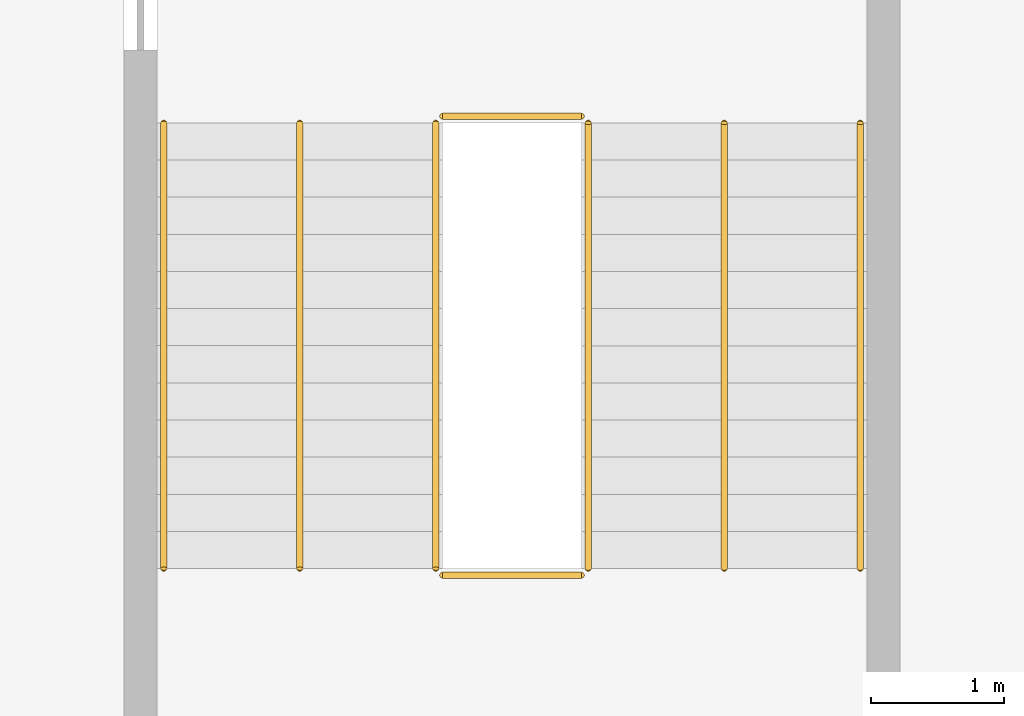
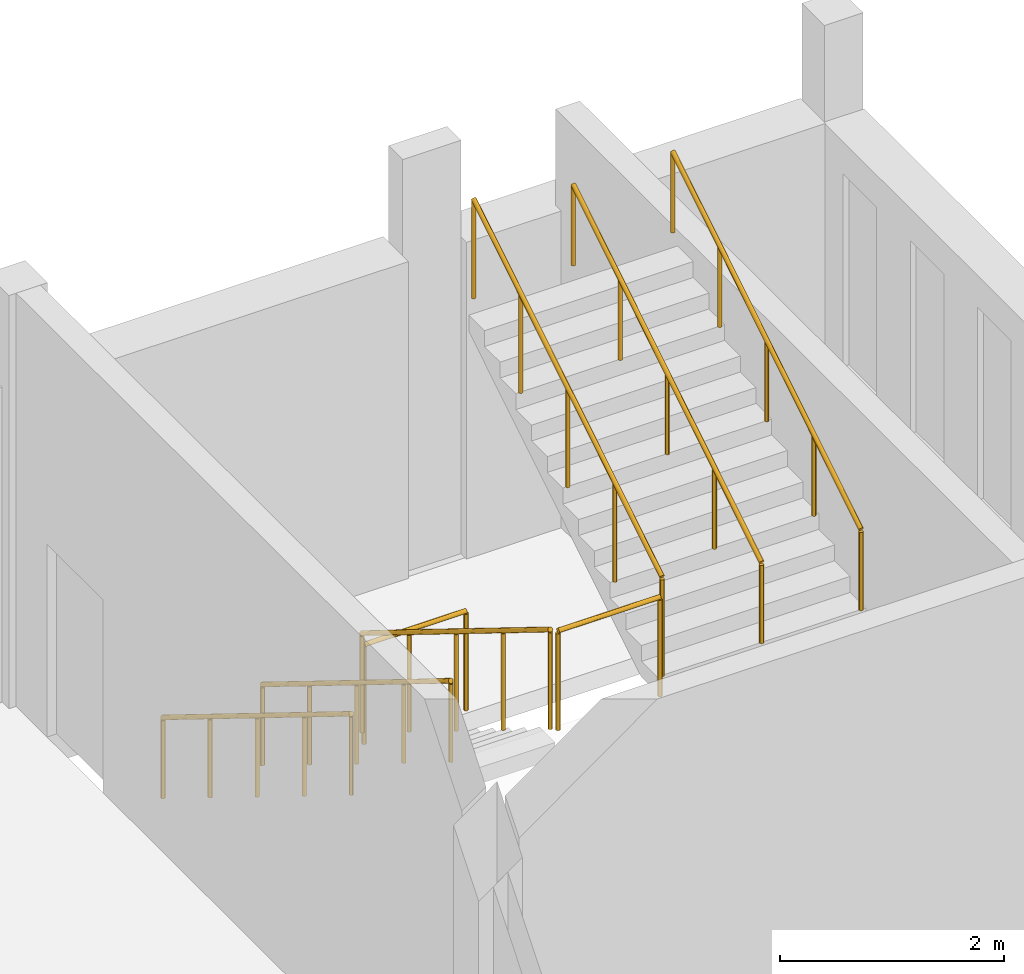
# One storey, part 116 of 116: 8 railings.
"""IFC4 building model written with IfcOpenShell, lengths in metres."""

from ifc_helpers import new_model, si_unit, direction, frame, origin, origin_2d, place, context, subcontext, project, spatial, circle, extrude, material, type_object, element, save


model = new_model("IFC4")

# Units and contexts
model_context = context("Model", 3, precision=1e-05, world=origin(), true_north=direction((0.0, 1.0)))
body_context = subcontext(model_context, "Body", "Model", "MODEL_VIEW")
ifc_project = project(units=[si_unit("LENGTHUNIT", "METRE"), si_unit("AREAUNIT", "SQUARE_METRE"), si_unit("VOLUMEUNIT", "CUBIC_METRE"), si_unit("PLANEANGLEUNIT", "RADIAN"), si_unit("MASSUNIT", "GRAM", prefix="KILO")], contexts=[model_context])

# Site, building, storey
site_placement = place(None, origin())
site = spatial("IfcSite", under=ifc_project, at=site_placement, CompositionType="ELEMENT")
building_placement = place(site_placement, origin())
building = spatial("IfcBuilding", under=site, at=building_placement, Name="Fescue Hill Polytechnic", CompositionType="ELEMENT")
storey_placement = place(building_placement, frame((0.0, 0.0, 13.5)))
storey = spatial("IfcBuildingStorey", under=building, at=storey_placement, Name="L03", CompositionType="ELEMENT", Elevation=13.5)

# Railings
ifc_material = material(Name="Steel 350W (350 MPa)", Category="steel")
railing_type_1 = type_object("IfcRailingType", Name="Stair guard steel 1100", PredefinedType="GUARDRAIL", material=ifc_material)
railing_1_placement = place(storey_placement, frame((111.425048828125, 132.10009765625, 0.173095703125)))
element("IfcRailing", 1, at=railing_1_placement, inside=storey, type_object=railing_type_1, Name="L03 ST-V4b-2 stair guard 1", PredefinedType="GUARDRAIL", context=body_context, shape_type="SweptSolid", body=[
    extrude(circle(Radius=0.02392578125, at=origin_2d()), frame((0.0, 0.0, 1.076171875), z_axis=(0.0, -0.850623216509, 0.525775754039), x_axis=(1.0, 0.0, 0.0)), (0.0, 0.0, 1.0), 3.9501953125),
    extrude(circle(Radius=0.02099609375, at=origin_2d()), origin(), (0.0, 0.0, 1.0), 1.052001953125),
    extrude(circle(Radius=0.02099609375, at=origin_2d()), frame((0.0, -0.840087890625, 0.519287109375)), (0.0, 0.0, 1.0), 1.052001953125),
    extrude(circle(Radius=0.02099609375, at=origin_2d()), frame((0.0, -1.68017578125, 1.03857421875)), (0.0, 0.0, 1.0), 1.052001953125),
    extrude(circle(Radius=0.02099609375, at=origin_2d()), frame((0.0, -2.52001953125, 1.5576171875)), (0.0, 0.0, 1.0), 1.052001953125),
    extrude(circle(Radius=0.02099609375, at=origin_2d()), frame((0.0, -3.360107421875, 2.076904296875)), (0.0, 0.0, 1.0), 1.052001953125),
])
railing_2_placement = place(storey_placement, frame((111.47509765625, 128.68994140625, 2.25)))
element("IfcRailing", 2, at=railing_2_placement, inside=storey, type_object=railing_type_1, Name="L03 ST-V4b-2 stair guard 2", PredefinedType="GUARDRAIL", context=body_context, shape_type="SweptSolid", body=[
    extrude(circle(Radius=0.02392578125, at=origin_2d()), frame((0.0, 0.0, 1.076171875), z_axis=(1.0, 0.0, 0.0), x_axis=(0.0, 1.0, 0.0)), (0.0, 0.0, 1.0), 1.0498046875),
    extrude(circle(Radius=0.02099609375, at=origin_2d()), origin(), (0.0, 0.0, 1.0), 1.052001953125),
    extrude(circle(Radius=0.02099609375, at=origin_2d()), frame((1.0498046875, 0.0, 0.0)), (0.0, 0.0, 1.0), 1.052001953125),
])
railing_3_placement = place(storey_placement, frame((112.574951171875, 128.739990234375, 2.423095703125)))
element("IfcRailing", 3, at=railing_3_placement, inside=storey, type_object=railing_type_1, Name="L03 ST-V4b-2 stair guard 3", PredefinedType="GUARDRAIL", context=body_context, shape_type="SweptSolid", body=[
    extrude(circle(Radius=0.02392578125, at=origin_2d()), frame((0.0, 0.0, 1.076171875), z_axis=(0.0, 0.850623216509, 0.525775754039), x_axis=(-1.0, 0.0, 0.0)), (0.0, 0.0, 1.0), 3.9501953125),
    extrude(circle(Radius=0.02099609375, at=origin_2d()), origin(), (0.0, 0.0, 1.0), 1.052001953125),
    extrude(circle(Radius=0.02099609375, at=origin_2d()), frame((0.0, 0.840087890625, 0.519287109375)), (0.0, 0.0, 1.0), 1.052001953125),
    extrude(circle(Radius=0.02099609375, at=origin_2d()), frame((0.0, 1.68017578125, 1.03857421875)), (0.0, 0.0, 1.0), 1.052001953125),
    extrude(circle(Radius=0.02099609375, at=origin_2d()), frame((0.0, 2.52001953125, 1.5576171875)), (0.0, 0.0, 1.0), 1.052001953125),
    extrude(circle(Radius=0.02099609375, at=origin_2d()), frame((0.0, 3.360107421875, 2.076904296875)), (0.0, 0.0, 1.0), 1.052001953125),
])
railing_4_placement = place(storey_placement, frame((111.47509765625, 132.14990234375, 0.0)))
element("IfcRailing", 4, at=railing_4_placement, inside=storey, type_object=railing_type_1, Name="L03 ST-V4b-2 stair guard 4", PredefinedType="GUARDRAIL", context=body_context, shape_type="SweptSolid", body=[
    extrude(circle(Radius=0.02392578125, at=origin_2d()), frame((0.0, 0.0, 1.076171875), z_axis=(1.0, 0.0, 0.0), x_axis=(0.0, 1.0, 0.0)), (0.0, 0.0, 1.0), 1.0498046875),
    extrude(circle(Radius=0.02099609375, at=origin_2d()), origin(), (0.0, 0.0, 1.0), 1.052001953125),
    extrude(circle(Radius=0.02099609375, at=origin_2d()), frame((1.0498046875, 0.0, 0.0)), (0.0, 0.0, 1.0), 1.052001953125),
])
railing_type_2 = type_object("IfcRailingType", Name="Stair handrail steel 900", PredefinedType="HANDRAIL", material=ifc_material)
railing_5_placement = place(storey_placement, frame((109.375, 132.10009765625, 0.173095703125)))
element("IfcRailing", 5, at=railing_5_placement, inside=storey, type_object=railing_type_2, Name="L03 ST-V4b-2 stair handrail 1", PredefinedType="HANDRAIL", context=body_context, shape_type="SweptSolid", body=[
    extrude(circle(Radius=0.02392578125, at=origin_2d()), frame((0.0, 0.0, 0.8759765625), z_axis=(0.0, -0.850623216509, 0.525775754039), x_axis=(1.0, 0.0, 0.0)), (0.0, 0.0, 1.0), 3.9501953125),
    extrude(circle(Radius=0.02099609375, at=origin_2d()), origin(), (0.0, 0.0, 1.0), 0.851806640625),
    extrude(circle(Radius=0.02099609375, at=origin_2d()), frame((0.0, -0.840087890625, 0.519287109375)), (0.0, 0.0, 1.0), 0.851806640625),
    extrude(circle(Radius=0.02099609375, at=origin_2d()), frame((0.0, -1.68017578125, 1.03857421875)), (0.0, 0.0, 1.0), 0.851806640625),
    extrude(circle(Radius=0.02099609375, at=origin_2d()), frame((0.0, -2.52001953125, 1.5576171875)), (0.0, 0.0, 1.0), 0.851806640625),
    extrude(circle(Radius=0.02099609375, at=origin_2d()), frame((0.0, -3.360107421875, 2.076904296875)), (0.0, 0.0, 1.0), 0.851806640625),
])
railing_6_placement = place(storey_placement, frame((114.625, 128.739990234375, 2.423095703125)))
element("IfcRailing", 6, at=railing_6_placement, inside=storey, type_object=railing_type_2, Name="L03 ST-V4b-2 stair handrail 2", PredefinedType="HANDRAIL", context=body_context, shape_type="SweptSolid", body=[
    extrude(circle(Radius=0.02392578125, at=origin_2d()), frame((0.0, 0.0, 0.8759765625), z_axis=(0.0, 0.850623216509, 0.525775754039), x_axis=(-1.0, 0.0, 0.0)), (0.0, 0.0, 1.0), 3.9501953125),
    extrude(circle(Radius=0.02099609375, at=origin_2d()), origin(), (0.0, 0.0, 1.0), 0.851806640625),
    extrude(circle(Radius=0.02099609375, at=origin_2d()), frame((0.0, 0.840087890625, 0.519287109375)), (0.0, 0.0, 1.0), 0.851806640625),
    extrude(circle(Radius=0.02099609375, at=origin_2d()), frame((0.0, 1.68017578125, 1.03857421875)), (0.0, 0.0, 1.0), 0.851806640625),
    extrude(circle(Radius=0.02099609375, at=origin_2d()), frame((0.0, 2.52001953125, 1.5576171875)), (0.0, 0.0, 1.0), 0.851806640625),
    extrude(circle(Radius=0.02099609375, at=origin_2d()), frame((0.0, 3.360107421875, 2.076904296875)), (0.0, 0.0, 1.0), 0.851806640625),
])
railing_7_placement = place(storey_placement, frame((110.39990234375, 132.10009765625, 0.173095703125)))
element("IfcRailing", 7, at=railing_7_placement, inside=storey, type_object=railing_type_2, Name="L03 ST-V4b-2 stair handrail 3", PredefinedType="HANDRAIL", context=body_context, shape_type="SweptSolid", body=[
    extrude(circle(Radius=0.02392578125, at=origin_2d()), frame((0.0, 0.0, 0.8759765625), z_axis=(0.0, -0.850623216509, 0.525775754039), x_axis=(1.0, 0.0, 0.0)), (0.0, 0.0, 1.0), 3.9501953125),
    extrude(circle(Radius=0.02099609375, at=origin_2d()), origin(), (0.0, 0.0, 1.0), 0.851806640625),
    extrude(circle(Radius=0.02099609375, at=origin_2d()), frame((0.0, -0.840087890625, 0.519287109375)), (0.0, 0.0, 1.0), 0.851806640625),
    extrude(circle(Radius=0.02099609375, at=origin_2d()), frame((0.0, -1.68017578125, 1.03857421875)), (0.0, 0.0, 1.0), 0.851806640625),
    extrude(circle(Radius=0.02099609375, at=origin_2d()), frame((0.0, -2.52001953125, 1.5576171875)), (0.0, 0.0, 1.0), 0.851806640625),
    extrude(circle(Radius=0.02099609375, at=origin_2d()), frame((0.0, -3.360107421875, 2.076904296875)), (0.0, 0.0, 1.0), 0.851806640625),
])
railing_8_placement = place(storey_placement, frame((113.60009765625, 128.739990234375, 2.423095703125)))
element("IfcRailing", 8, at=railing_8_placement, inside=storey, type_object=railing_type_2, Name="L03 ST-V4b-2 stair handrail 4", PredefinedType="HANDRAIL", context=body_context, shape_type="SweptSolid", body=[
    extrude(circle(Radius=0.02392578125, at=origin_2d()), frame((0.0, 0.0, 0.8759765625), z_axis=(0.0, 0.850623216509, 0.525775754039), x_axis=(-1.0, 0.0, 0.0)), (0.0, 0.0, 1.0), 3.9501953125),
    extrude(circle(Radius=0.02099609375, at=origin_2d()), origin(), (0.0, 0.0, 1.0), 0.851806640625),
    extrude(circle(Radius=0.02099609375, at=origin_2d()), frame((0.0, 0.840087890625, 0.519287109375)), (0.0, 0.0, 1.0), 0.851806640625),
    extrude(circle(Radius=0.02099609375, at=origin_2d()), frame((0.0, 1.68017578125, 1.03857421875)), (0.0, 0.0, 1.0), 0.851806640625),
    extrude(circle(Radius=0.02099609375, at=origin_2d()), frame((0.0, 2.52001953125, 1.5576171875)), (0.0, 0.0, 1.0), 0.851806640625),
    extrude(circle(Radius=0.02099609375, at=origin_2d()), frame((0.0, 3.360107421875, 2.076904296875)), (0.0, 0.0, 1.0), 0.851806640625),
])

save(model, "model.ifc")
